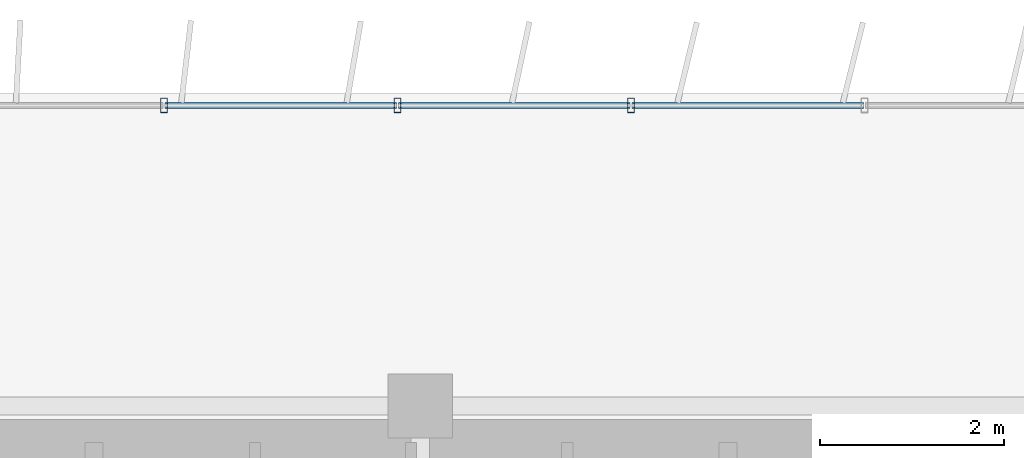
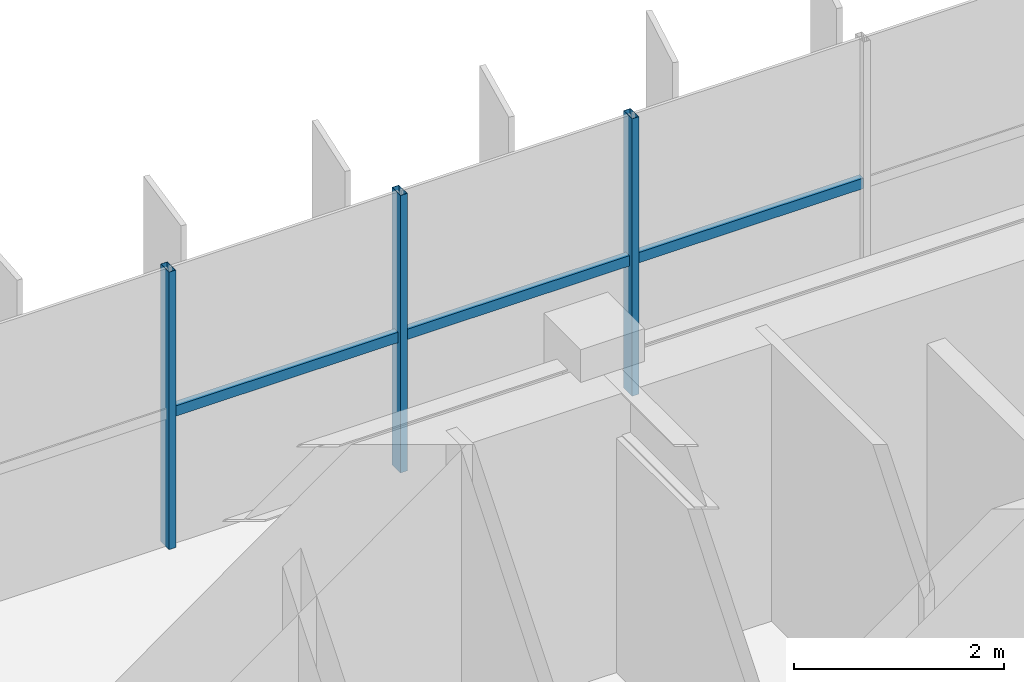
# One storey, part 12 of 24: 6 members, 1 element without a shape of its own.
"""IFC4 building model written with IfcOpenShell, lengths in metres."""

import ifcopenshell
import ifcopenshell.guid

model = None  # the IFC model being written
_history = None  # IfcOwnerHistory: only IFC2X3 demands one
_inside = {}  # id of a spatial element -> (the spatial element, [elements in it])
_under = {}  # id of a project, library or spatial element -> (it, [spatial elements below it])
_declared = {}  # id of a project -> (the project, [libraries it declares])
_typed = {}  # id of a type object -> (the type object, [elements of that type])
_made_of = {}  # id of a material, layer set ... -> (it, [elements and type objects made of it])


def new_model(schema):
    """Start an empty IFC model of exactly this schema.

    Asked for "IFC4X3", IfcOpenShell would pick the latest addendum, in which some entities
    have other attributes; the version numbers below select the first issue.
    IFC2X3 requires an IfcOwnerHistory on every rooted entity: one is made here for all.
    """
    global model, _history
    if schema == "IFC4X3":
        model = ifcopenshell.file(schema_version=(4, 3, 0, 0))
    else:
        model = ifcopenshell.file(schema=schema)
    _inside.clear()
    _under.clear()
    _declared.clear()
    _typed.clear()
    _made_of.clear()
    _history = None
    if model.schema == "IFC2X3":
        org = make("IfcOrganization", Name="unknown")
        user = make(
            "IfcPersonAndOrganization",
            ThePerson=make("IfcPerson", FamilyName="unknown"),
            TheOrganization=org,
        )
        app = make(
            "IfcApplication",
            ApplicationDeveloper=org,
            Version="unknown",
            ApplicationFullName="unknown",
            ApplicationIdentifier="unknown",
        )
        _history = make(
            "IfcOwnerHistory",
            OwningUser=user,
            OwningApplication=app,
            ChangeAction="ADDED",
            CreationDate=0,
        )
    return model


def make(cls, **values):
    """One entity of the class cls with the attributes given. An attribute that is None is left unset."""
    return model.create_entity(
        cls, **{name: value for name, value in values.items() if value is not None}
    )


def rooted(cls, **values):
    """An entity with a GlobalId (a new one), such as an element, a storey or a relation."""
    return make(cls, GlobalId=ifcopenshell.guid.new(), OwnerHistory=_history, **values)


def si_unit(unit_type, name, prefix=None):
    """IfcSIUnit, for example si_unit("LENGTHUNIT", "METRE", prefix="MILLI")."""
    return make("IfcSIUnit", UnitType=unit_type, Prefix=prefix, Name=name)


def assignment(units):
    """IfcUnitAssignment: the units of a project."""
    return None if units is None else make("IfcUnitAssignment", Units=units)


def point(xyz):
    """IfcCartesianPoint."""
    return None if xyz is None else make("IfcCartesianPoint", Coordinates=xyz)


def direction(xyz):
    """IfcDirection."""
    return None if xyz is None else make("IfcDirection", DirectionRatios=xyz)


def frame(location, z_axis=None, x_axis=None):
    """IfcAxis2Placement3D, a coordinate frame: its origin and axes. An axis left out is left unset."""
    return make(
        "IfcAxis2Placement3D",
        Location=point(location),
        Axis=direction(z_axis),
        RefDirection=direction(x_axis),
    )


def frame_2d(location, x_axis=None):
    """IfcAxis2Placement2D, a coordinate frame in the plane: its origin and x axis."""
    return make(
        "IfcAxis2Placement2D", Location=point(location), RefDirection=direction(x_axis)
    )


def origin():
    """The frame at (0, 0, 0) with its axes left unset."""
    return frame((0.0, 0.0, 0.0))


def origin_2d():
    """The frame at (0, 0) in the plane with its x axis left unset."""
    return frame_2d((0.0, 0.0))


def place(relative_to, where):
    """IfcLocalPlacement: puts the frame where relative to a parent placement (None: the world)."""
    return make(
        "IfcLocalPlacement", PlacementRelTo=relative_to, RelativePlacement=where
    )


def context(
    kind, dimensions, precision=None, world=None, true_north=None, identifier=None
):
    """IfcGeometricRepresentationContext, for example the 3D "Model" context."""
    return make(
        "IfcGeometricRepresentationContext",
        ContextIdentifier=identifier,
        ContextType=kind,
        CoordinateSpaceDimension=dimensions,
        Precision=precision,
        WorldCoordinateSystem=world,
        TrueNorth=true_north,
    )


def subcontext(parent, identifier, kind, view, scale=None):
    """IfcGeometricRepresentationSubContext, for example "Body" below "Model"."""
    return make(
        "IfcGeometricRepresentationSubContext",
        ContextIdentifier=identifier,
        ContextType=kind,
        ParentContext=parent,
        TargetScale=scale,
        TargetView=view,
    )


def project(units=None, contexts=None):
    """IfcProject with its units and contexts."""
    return rooted(
        "IfcProject",
        Name="project",
        RepresentationContexts=contexts,
        UnitsInContext=assignment(units),
    )


def spatial(cls, under=None, at=None, **own):
    """A site, building, storey or space (cls), placed at a placement, below another one or the project."""
    s = rooted(cls, ObjectPlacement=at, **own)
    if under is not None:
        _under.setdefault(under.id(), (under, []))[1].append(s)
    return s


def profile(cls, at=None, kind="AREA", **sizes):
    """A parametric profile (cls). Its sizes go by their IFC names, for example OverallWidth=200.0."""
    return make(cls, ProfileType=kind, Position=at, **sizes)


def hollow_rectangle(**sizes):
    """IfcRectangleHollowProfileDef."""
    return profile("IfcRectangleHollowProfileDef", **sizes)


def extrude(swept, where, along, depth):
    """IfcExtrudedAreaSolid: the profile swept, set in the frame where, extruded along a direction by depth."""
    return make(
        "IfcExtrudedAreaSolid",
        SweptArea=swept,
        Position=where,
        ExtrudedDirection=direction(along),
        Depth=depth,
    )


def shape(context_of_items, identifier, shape_type, items):
    """IfcShapeRepresentation: the items that make up one representation, for example the "Body"."""
    return make(
        "IfcShapeRepresentation",
        ContextOfItems=context_of_items,
        RepresentationIdentifier=identifier,
        RepresentationType=shape_type,
        Items=items,
    )


def source(mapping_origin, context_of_items, identifier, shape_type, items):
    """IfcRepresentationMap: a shape defined once, which mapped items show again and again."""
    return make(
        "IfcRepresentationMap",
        MappingOrigin=mapping_origin,
        MappedRepresentation=shape(context_of_items, identifier, shape_type, items),
    )


def transform(
    local_origin,
    x_axis=None,
    y_axis=None,
    z_axis=None,
    scale=None,
    scale2=None,
    scale3=None,
    uniform=True,
):
    """IfcCartesianTransformationOperator3D, or its non-uniform kind. x_axis, y_axis, z_axis: its Axis1, 2, 3."""
    if uniform:
        return make(
            "IfcCartesianTransformationOperator3D",
            Axis1=direction(x_axis),
            Axis2=direction(y_axis),
            LocalOrigin=point(local_origin),
            Scale=scale,
            Axis3=direction(z_axis),
        )
    return make(
        "IfcCartesianTransformationOperator3DnonUniform",
        Axis1=direction(x_axis),
        Axis2=direction(y_axis),
        LocalOrigin=point(local_origin),
        Scale=scale,
        Axis3=direction(z_axis),
        Scale2=scale2,
        Scale3=scale3,
    )


def mapped(mapping_source, mapping_target):
    """IfcMappedItem: shows the shape of a source again, moved by a transform."""
    return make(
        "IfcMappedItem", MappingSource=mapping_source, MappingTarget=mapping_target
    )


def material(Name=None, Category=None):
    """IfcMaterial."""
    return make("IfcMaterial", Name=Name, Category=Category)


def material_profile(
    of_material, cross_section, Name=None, Category=None, Priority=None
):
    """IfcMaterialProfile: a cross section and its material."""
    return make(
        "IfcMaterialProfile",
        Name=Name,
        Material=of_material,
        Profile=cross_section,
        Priority=Priority,
        Category=Category,
    )


def profile_set(profiles, Name=None, composite=None):
    """IfcMaterialProfileSet."""
    return make(
        "IfcMaterialProfileSet",
        Name=Name,
        MaterialProfiles=profiles,
        CompositeProfile=composite,
    )


def made_of(thing, what):
    """Note that an element or type object is made of a material, layer set ...; save() writes the relation."""
    if what is not None:
        _made_of.setdefault(what.id(), (what, []))[1].append(thing)
    return thing


def type_object(cls, material=None, **own):
    """A type object (cls), such as IfcWallType, which elements share."""
    return made_of(rooted(cls, **own), material)


def element(
    cls,
    number,
    at=None,
    inside=None,
    cuts=None,
    type_object=None,
    material=None,
    context=None,
    identifier="Body",
    shape_type=None,
    held_by="IfcProductDefinitionShape",
    body=None,
    shapes=None,
    **own,
):
    """One element of the class cls, such as IfcWall. Its Tag is "e" and its number.

    at: its placement. inside: the storey or other place that contains it. cuts: it is an
    opening in that element (IfcRelVoidsElement). A single representation is given by context,
    identifier, shape_type and body (its items); several are given by shapes. held_by: the class
    of the entity that holds the representations. save() writes the other relations.
    """
    e = rooted(cls, Tag="e%d" % number, ObjectPlacement=at, **own)
    if body is not None:
        shapes = [shape(context, identifier, shape_type, body)]
    if shapes is not None:
        e.Representation = make(held_by, Representations=shapes)
    if inside is not None:
        _inside.setdefault(inside.id(), (inside, []))[1].append(e)
    if cuts is not None:
        rooted(
            "IfcRelVoidsElement", RelatingBuildingElement=cuts, RelatedOpeningElement=e
        )
    if type_object is not None:
        _typed.setdefault(type_object.id(), (type_object, []))[1].append(e)
    return made_of(e, material)


def aggregate(whole, parts):
    """IfcRelAggregates: a whole, such as a stair, and the parts it consists of."""
    return rooted("IfcRelAggregates", RelatingObject=whole, RelatedObjects=parts)


def save(model, path):
    """Write the relations noted so far, then the file.

    IfcRelAggregates (storeys below a building ...), IfcRelContainedInSpatialStructure (elements
    in a storey), IfcRelDefinesByType, IfcRelAssociatesMaterial and IfcRelDeclares: one each for
    every whole, place, type object, material and project.
    """
    for whole, parts in _under.values():
        aggregate(whole, parts)
    for where, things in _inside.values():
        rooted(
            "IfcRelContainedInSpatialStructure",
            RelatedElements=things,
            RelatingStructure=where,
        )
    for kind, things in _typed.values():
        rooted("IfcRelDefinesByType", RelatedObjects=things, RelatingType=kind)
    for what, things in _made_of.values():
        rooted("IfcRelAssociatesMaterial", RelatedObjects=things, RelatingMaterial=what)
    for by, libraries in _declared.values():
        rooted("IfcRelDeclares", RelatingContext=by, RelatedDefinitions=libraries)
    model.write(path)


model = new_model("IFC4")

# Units and contexts
model_context = context("Model", 3, precision=1e-05, world=origin(), true_north=direction((0.0, 1.0)))
body_context = subcontext(model_context, "Body", "Model", "MODEL_VIEW")
ifc_project = project(units=[si_unit("LENGTHUNIT", "METRE"), si_unit("AREAUNIT", "SQUARE_METRE"), si_unit("VOLUMEUNIT", "CUBIC_METRE"), si_unit("PLANEANGLEUNIT", "RADIAN"), si_unit("MASSUNIT", "GRAM", prefix="KILO")], contexts=[model_context])

# Site, building, storey
site_placement = place(None, origin())
site = spatial("IfcSite", under=ifc_project, at=site_placement, CompositionType="ELEMENT")
building_placement = place(site_placement, origin())
building = spatial("IfcBuilding", under=site, at=building_placement, Name="Trelvane Seafront Commons", CompositionType="ELEMENT")
storey_placement = place(building_placement, frame((0.0, 0.0, 178.89990234375)))
storey = spatial("IfcBuildingStorey", under=building, at=storey_placement, Name="L47", CompositionType="ELEMENT", Elevation=178.89990234375)

# Curtain wall, members
ifc_material = material(Name="Anodised pale-silver aluminium", Category="aluminium")
curtain_wall_type = type_object("IfcCurtainWallType", Name="ARCH-CW5-UPTOWER", PredefinedType="NOTDEFINED", material=ifc_material)
curtain_wall_placement = place(storey_placement, origin())
curtain_wall = element("IfcCurtainWall", 1, at=curtain_wall_placement, inside=storey, type_object=curtain_wall_type, Name="CW-L47-0075", PredefinedType="NOTDEFINED")
ifc_material_profile_1 = material_profile(ifc_material, hollow_rectangle(XDim=0.070068359375, YDim=0.1201171875, WallThickness=0.00390625, at=origin_2d()), Name="TRAN-70x120x4")
ifc_profile_set_1 = profile_set([ifc_material_profile_1], Name="Anodised pale-silver aluminium")
member_type_1 = type_object("IfcMemberType", Name="ARCH-CW-TRAN-120", PredefinedType="USERDEFINED", material=ifc_profile_set_1)
shared_shape_1 = source(origin(), body_context, "Body", "SweptSolid", [
    extrude(hollow_rectangle(XDim=0.070068359375, YDim=0.1201171875, WallThickness=0.00390625, at=origin_2d()), origin(), (0.0, 0.0, 1.0), 2.51708984375),
])
member_1_placement = place(storey_placement, frame((43.56494140625, 48.3701171875, 1.546142578125), z_axis=(1.0, 0.0, 0.0), x_axis=(0.0, 1.0, 0.0)))
member_1 = element("IfcMember", 2, at=member_1_placement, type_object=member_type_1, Name="CW-L47-0075-T11", ObjectType="TRANSOM", PredefinedType="USERDEFINED", context=body_context, shape_type="MappedRepresentation", body=[
    mapped(shared_shape_1, transform((0.0, 0.0, 0.0), x_axis=(1.0, 0.0, 0.0), y_axis=(0.0, 1.0, 0.0), z_axis=(0.0, 0.0, 1.0), scale=1.0)),
])
member_2_placement = place(storey_placement, frame((46.106201171875, 48.3701171875, 1.546142578125), z_axis=(1.0, 0.0, 0.0), x_axis=(0.0, 1.0, 0.0)))
member_2 = element("IfcMember", 3, at=member_2_placement, type_object=member_type_1, Name="CW-L47-0075-T12", ObjectType="TRANSOM", PredefinedType="USERDEFINED", context=body_context, shape_type="MappedRepresentation", body=[
    mapped(shared_shape_1, transform((0.0, 0.0, 0.0), x_axis=(1.0, 0.0, 0.0), y_axis=(0.0, 1.0, 0.0), z_axis=(0.0, 0.0, 1.0), scale=1.0)),
])
shared_shape_2 = source(origin(), body_context, "Body", "SweptSolid", [
    extrude(hollow_rectangle(XDim=0.070068359375, YDim=0.1201171875, WallThickness=0.00390625, at=origin_2d()), origin(), (0.0, 0.0, 1.0), 2.517333984375),
])
member_3_placement = place(storey_placement, frame((41.023681640625, 48.3701171875, 1.546142578125), z_axis=(1.0, 0.0, 0.0), x_axis=(0.0, 1.0, 0.0)))
member_3 = element("IfcMember", 4, at=member_3_placement, type_object=member_type_1, Name="CW-L47-0075-T10", ObjectType="TRANSOM", PredefinedType="USERDEFINED", context=body_context, shape_type="MappedRepresentation", body=[
    mapped(shared_shape_2, transform((0.0, 0.0, 0.0), x_axis=(1.0, 0.0, 0.0), y_axis=(0.0, 1.0, 0.0), z_axis=(0.0, 0.0, 1.0), scale=1.0)),
])
ifc_material_profile_2 = material_profile(ifc_material, hollow_rectangle(XDim=0.074951171875, YDim=0.159912109375, WallThickness=0.00390625, at=origin_2d()), Name="MULL-75x160x4")
ifc_profile_set_2 = profile_set([ifc_material_profile_2], Name="Anodised pale-silver aluminium")
member_type_2 = type_object("IfcMemberType", Name="ARCH-CW-MULL-160", PredefinedType="MULLION", material=ifc_profile_set_2)
shared_shape_3 = source(origin(), body_context, "Body", "SweptSolid", [
    extrude(hollow_rectangle(XDim=0.074951171875, YDim=0.159912109375, WallThickness=0.00390625, at=origin_2d()), origin(), (0.0, 0.0, 1.0), 3.22021484375),
])
member_4_placement = place(storey_placement, frame((41.01171875, 48.3701171875, 0.0), z_axis=(0.0, 0.0, 1.0), x_axis=(1.0, 0.0, 0.0)))
member_4 = element("IfcMember", 5, at=member_4_placement, type_object=member_type_2, Name="CW-L47-0075-M10", PredefinedType="MULLION", context=body_context, shape_type="MappedRepresentation", body=[
    mapped(shared_shape_3, transform((0.0, 0.0, 0.0), x_axis=(1.0, 0.0, 0.0), y_axis=(0.0, 1.0, 0.0), z_axis=(0.0, 0.0, 1.0), scale=1.0)),
])
member_5_placement = place(storey_placement, frame((43.552978515625, 48.3701171875, 0.0), z_axis=(0.0, 0.0, 1.0), x_axis=(1.0, 0.0, 0.0)))
member_5 = element("IfcMember", 6, at=member_5_placement, type_object=member_type_2, Name="CW-L47-0075-M11", PredefinedType="MULLION", context=body_context, shape_type="MappedRepresentation", body=[
    mapped(shared_shape_3, transform((0.0, 0.0, 0.0), x_axis=(1.0, 0.0, 0.0), y_axis=(0.0, 1.0, 0.0), z_axis=(0.0, 0.0, 1.0), scale=1.0)),
])
member_6_placement = place(storey_placement, frame((46.093994140625, 48.3701171875, 0.0), z_axis=(0.0, 0.0, 1.0), x_axis=(1.0, 0.0, 0.0)))
member_6 = element("IfcMember", 7, at=member_6_placement, type_object=member_type_2, Name="CW-L47-0075-M12", PredefinedType="MULLION", context=body_context, shape_type="MappedRepresentation", body=[
    mapped(shared_shape_3, transform((0.0, 0.0, 0.0), x_axis=(1.0, 0.0, 0.0), y_axis=(0.0, 1.0, 0.0), z_axis=(0.0, 0.0, 1.0), scale=1.0)),
])
aggregate(curtain_wall, [member_4, member_5, member_6, member_3, member_1, member_2])

save(model, "model.ifc")
